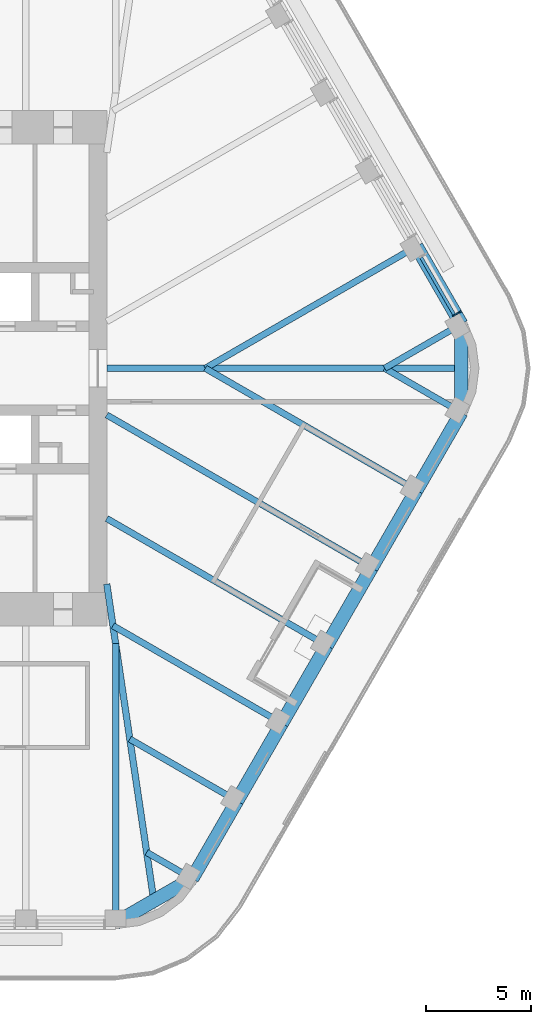
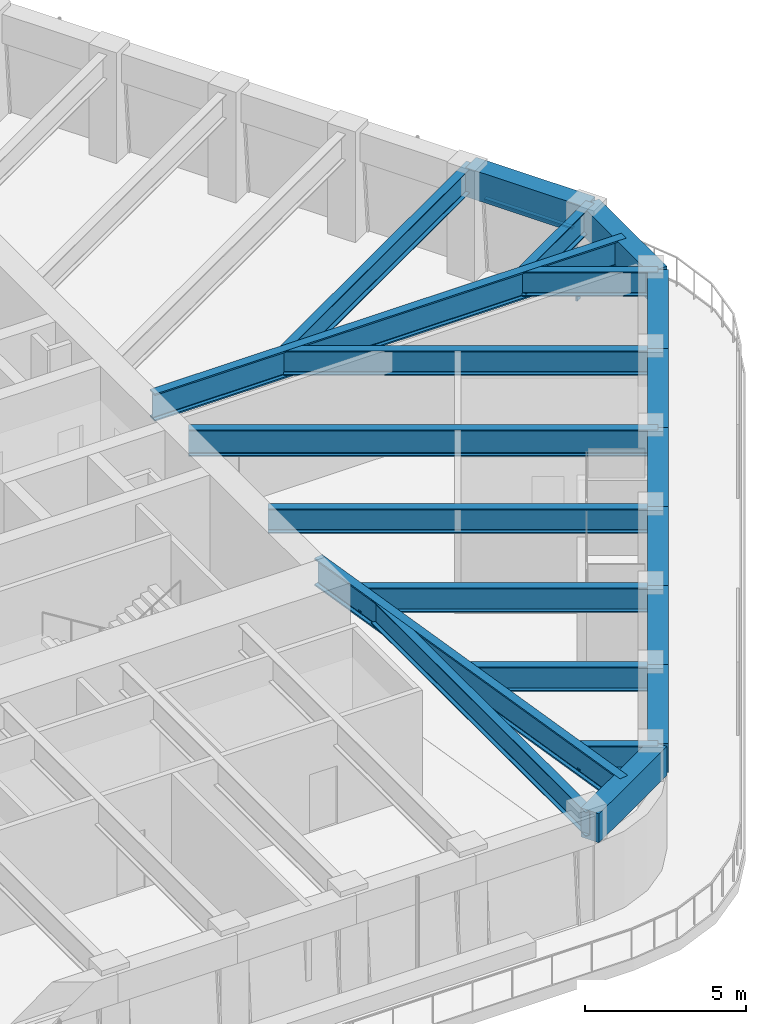
# One storey, part 5 of 19: 21 beams, 2 members, 1 element without a shape of its own.
"""IFC4 building model written with IfcOpenShell, lengths in metres."""

from ifc_helpers import new_model, si_unit, direction, frame, origin, origin_2d, place, context, subcontext, project, spatial, rectangle, i_section, extrude, material, material_profile, profile_set, type_object, element, aggregate, save


model = new_model("IFC4")

# Units and contexts
model_context = context("Model", 3, precision=1e-05, world=origin(), true_north=direction((0.0, 1.0)))
body_context = subcontext(model_context, "Body", "Model", "MODEL_VIEW")
ifc_project = project(units=[si_unit("LENGTHUNIT", "METRE"), si_unit("AREAUNIT", "SQUARE_METRE"), si_unit("VOLUMEUNIT", "CUBIC_METRE"), si_unit("PLANEANGLEUNIT", "RADIAN"), si_unit("MASSUNIT", "GRAM", prefix="KILO")], contexts=[model_context])

# Site, building, storey
site_placement = place(None, origin())
site = spatial("IfcSite", under=ifc_project, at=site_placement, CompositionType="ELEMENT")
building_placement = place(site_placement, origin())
building = spatial("IfcBuilding", under=site, at=building_placement, Name="Tarfa Lantern Tower", CompositionType="ELEMENT")
storey_placement = place(building_placement, frame((0.0, 0.0, 336.699951171875)))
storey = spatial("IfcBuildingStorey", under=building, at=storey_placement, Name="L76", CompositionType="ELEMENT", Elevation=336.699951171875)

# Curtain wall, members
ifc_material_1 = material(Name="Aluminium framed curtain wall", Category="aluminium")
curtain_wall_type = type_object("IfcCurtainWallType", Name="CW4 CANTED GLAZING EXECUTIVE ZONE 2900", PredefinedType="USERDEFINED", material=ifc_material_1)
curtain_wall_placement = place(storey_placement, origin())
curtain_wall = element("IfcCurtainWall", 1, at=curtain_wall_placement, inside=storey, type_object=curtain_wall_type, Name="CW4 NE L76", ObjectType="CURTAIN WALL", PredefinedType="USERDEFINED")
ifc_material_2 = material(Name="Aluminium mullion", Category="aluminium")
ifc_material_profile_1 = material_profile(ifc_material_2, rectangle(XDim=0.06494140625, YDim=0.199951171875, at=origin_2d()), Name="AL MULLION 65x200")
ifc_profile_set_1 = profile_set([ifc_material_profile_1], Name="Aluminium mullion")
member_type_1 = type_object("IfcMemberType", Name="CWM1 MULLION 65x200", PredefinedType="MULLION", material=ifc_profile_set_1)
member_1_placement = place(storey_placement, frame((29.236328125, 2.6611328125, 0.0), z_axis=(-0.074393603155, -0.042941967097, 0.996303959277), x_axis=(0.499919672301, -0.866071776036, 0.0)))
member_1 = element("IfcMember", 2, at=member_1_placement, type_object=member_type_1, Name="CW4 mullion 1", PredefinedType="MULLION", context=body_context, shape_type="SweptSolid", body=[
    extrude(rectangle(XDim=0.06494140625, YDim=0.199951171875, at=origin_2d()), origin(), (0.0, 0.0, 1.0), 2.910888671875),
])
ifc_material_3 = material(Name="Aluminium transom", Category="aluminium")
ifc_material_profile_2 = material_profile(ifc_material_3, rectangle(XDim=0.14990234375, YDim=0.06494140625, at=origin_2d()), Name="AL TRANSOM 150x65")
ifc_profile_set_2 = profile_set([ifc_material_profile_2], Name="Aluminium transom")
member_type_2 = type_object("IfcMemberType", Name="CWT1 TRANSOM 150x65", PredefinedType="USERDEFINED", material=ifc_profile_set_2)
member_2_placement = place(storey_placement, frame((29.006103515625, 2.565673828125, 2.867431640625), z_axis=(-0.500037562771, 0.866003715822, 0.0), x_axis=(-0.866003715822, -0.500037562771, 0.0)))
member_2 = element("IfcMember", 3, at=member_2_placement, type_object=member_type_2, Name="CW4 transom 1.2", ObjectType="TRANSOM", PredefinedType="USERDEFINED", context=body_context, shape_type="SweptSolid", body=[
    extrude(rectangle(XDim=0.14990234375, YDim=0.06494140625, at=origin_2d()), origin(), (0.0, 0.0, 1.0), 3.152099609375),
])
aggregate(curtain_wall, [member_1, member_2])

# Beams
ifc_material_4 = material(Name="Concrete C80/95", Category="concrete")
ifc_material_profile_3 = material_profile(ifc_material_4, rectangle(XDim=0.64990234375, YDim=1.10009765625, at=origin_2d()), Name="RC 650x1100")
ifc_profile_set_3 = profile_set([ifc_material_profile_3], Name="Concrete C80/95")
beam_type_1 = type_object("IfcBeamType", Name="EB4 RC 650x1100", PredefinedType="SPANDREL", material=ifc_profile_set_3)
beam_1_placement = place(storey_placement, frame((29.3466796875, 2.110107421875, 3.449951171875), z_axis=(-0.499984039138, 0.866034618596, 0.0), x_axis=(-0.866034618596, -0.499984039138, 0.0)))
element("IfcBeam", 4, at=beam_1_placement, inside=storey, type_object=beam_type_1, Name="Edge beam NE0", PredefinedType="SPANDREL", context=body_context, shape_type="SweptSolid", body=[
    extrude(rectangle(XDim=0.64990234375, YDim=1.10009765625, at=origin_2d()), origin(), (0.0, 0.0, 1.0), 4.281982421875),
])
beam_2_placement = place(storey_placement, frame((12.845947265625, -26.469970703125, 3.449951171875), z_axis=(0.866048788483, 0.499959494327, 0.0), x_axis=(-0.499959494327, 0.866048788483, 0.0)))
element("IfcBeam", 5, at=beam_2_placement, inside=storey, type_object=beam_type_1, Name="Edge beam S6", PredefinedType="SPANDREL", context=body_context, shape_type="SweptSolid", body=[
    extrude(rectangle(XDim=0.64990234375, YDim=1.10009765625, at=origin_2d()), origin(), (0.0, 0.0, 1.0), 4.219970703125),
])
for number, where, z_axis, x_axis, name in (
    (6, (16.500732421875, -24.360107421875, 3.449951171875), (0.499959351497, 0.866048870937, 0.0), (-0.866048870937, 0.499959351497, 0.0), "Edge beam SE0"),
    (7, (18.6416015625, -20.651611328125, 3.449951171875), (0.500026801138, 0.866009929587, 0.0), (-0.866009929587, 0.500026801138, 0.0), "Edge beam SE1"),
    (8, (20.78271484375, -16.943359375, 3.449951171875), (0.499984039138, 0.866034618596, 0.0), (-0.866034618596, 0.499984039138, 0.0), "Edge beam SE2"),
):
    element("IfcBeam", number, at=place(storey_placement, frame(where, z_axis=z_axis, x_axis=x_axis)), inside=storey, type_object=beam_type_1, Name=name, PredefinedType="SPANDREL", context=body_context, shape_type="SweptSolid", body=[
        extrude(rectangle(XDim=0.64990234375, YDim=1.10009765625, at=origin_2d()), origin(), (0.0, 0.0, 1.0), 4.281982421875),
    ])
beam_3_placement = place(storey_placement, frame((22.923583984375, -13.235107421875, 3.449951171875), z_axis=(0.500002112793, 0.866024183959, 0.0), x_axis=(-0.866024183959, 0.500002112793, 0.0)))
element("IfcBeam", 9, at=beam_3_placement, inside=storey, type_object=beam_type_1, Name="Edge beam SE3", PredefinedType="SPANDREL", context=body_context, shape_type="SweptSolid", body=[
    extrude(rectangle(XDim=0.64990234375, YDim=1.10009765625, at=origin_2d()), origin(), (0.0, 0.0, 1.0), 4.2822265625),
])
for number, where, z_axis, x_axis, name in (
    (10, (25.064697265625, -9.526611328125, 3.449951171875), (0.500026801138, 0.866009929587, 0.0), (-0.866009929587, 0.500026801138, 0.0), "Edge beam SE4"),
    (11, (27.205810546875, -5.818359375, 3.449951171875), (0.499984039138, 0.866034618596, 0.0), (-0.866034618596, 0.499984039138, 0.0), "Edge beam SE5"),
):
    element("IfcBeam", number, at=place(storey_placement, frame(where, z_axis=z_axis, x_axis=x_axis)), inside=storey, type_object=beam_type_1, Name=name, PredefinedType="SPANDREL", context=body_context, shape_type="SweptSolid", body=[
        extrude(rectangle(XDim=0.64990234375, YDim=1.10009765625, at=origin_2d()), origin(), (0.0, 0.0, 1.0), 4.281982421875),
    ])
beam_4_placement = place(storey_placement, frame((29.3466796875, -2.110107421875, 3.449951171875), z_axis=(0.0, 1.0, 0.0), x_axis=(-1.0, 0.0, 0.0)))
element("IfcBeam", 12, at=beam_4_placement, inside=storey, type_object=beam_type_1, Name="Edge beam SE6", PredefinedType="SPANDREL", context=body_context, shape_type="SweptSolid", body=[
    extrude(rectangle(XDim=0.64990234375, YDim=1.10009765625, at=origin_2d()), origin(), (0.0, 0.0, 1.0), 4.22021484375),
])
ifc_material_5 = material(Name="Steel S460M", Category="steel")
ifc_material_profile_4 = material_profile(ifc_material_5, i_section(OverallWidth=0.302001953125, OverallDepth=1.008056640625, WebThickness=0.02099609375, FlangeThickness=0.0400390625, FilletRadius=0.030029296875, at=origin_2d()), Name="UB1016x305x349")
ifc_profile_set_4 = profile_set([ifc_material_profile_4], Name="Steel S460M")
beam_type_2 = type_object("IfcBeamType", Name="UB1016x305x349", PredefinedType="BEAM", material=ifc_profile_set_4)
beam_5_placement = place(storey_placement, frame((25.064697265625, -9.526611328125, 3.49609375), z_axis=(-0.866029591389, 0.499992746786, 0.0), x_axis=(-0.499992746786, -0.866029591389, 0.0)))
element("IfcBeam", 13, at=beam_5_placement, inside=storey, type_object=beam_type_2, Name="Floor beam SE4", PredefinedType="BEAM", context=body_context, shape_type="SweptSolid", body=[
    extrude(i_section(OverallWidth=0.302001953125, OverallDepth=1.008056640625, WebThickness=0.02099609375, FlangeThickness=0.0400390625, FilletRadius=0.030029296875, at=origin_2d()), origin(), (0.0, 0.0, 1.0), 14.594970703125),
])
ifc_material_profile_5 = material_profile(ifc_material_5, i_section(OverallWidth=0.30859375, OverallDepth=1.036376953125, WebThickness=0.030029296875, FlangeThickness=0.05419921875, FilletRadius=0.030029296875, at=origin_2d()), Name="UB1016x305x487")
ifc_profile_set_5 = profile_set([ifc_material_profile_5], Name="Steel S460M")
beam_type_3 = type_object("IfcBeamType", Name="UB1016x305x487", PredefinedType="BEAM", material=ifc_profile_set_5)
beam_6_placement = place(storey_placement, frame((12.425048828125, 0.0, 3.48193359375), z_axis=(1.0, 0.0, 0.0), x_axis=(0.0, 1.0, 0.0)))
element("IfcBeam", 14, at=beam_6_placement, inside=storey, type_object=beam_type_3, Name="Hip girder E", PredefinedType="BEAM", context=body_context, shape_type="SweptSolid", body=[
    extrude(i_section(OverallWidth=0.30859375, OverallDepth=1.036376953125, WebThickness=0.030029296875, FlangeThickness=0.05419921875, FilletRadius=0.030029296875, at=origin_2d()), origin(), (0.0, 0.0, 1.0), 16.921630859375),
])
beam_7_placement = place(storey_placement, frame((12.425048828125, -10.300048828125, 3.48193359375), z_axis=(0.147127069073, -0.989117599452, 0.0), x_axis=(0.989117599452, 0.147127069073, 0.0)))
element("IfcBeam", 15, at=beam_7_placement, inside=storey, type_object=beam_type_3, Name="Hip girder SE", PredefinedType="BEAM", context=body_context, shape_type="SweptSolid", body=[
    extrude(i_section(OverallWidth=0.30859375, OverallDepth=1.036376953125, WebThickness=0.030029296875, FlangeThickness=0.05419921875, FilletRadius=0.030029296875, at=origin_2d()), origin(), (0.0, 0.0, 1.0), 15.28125),
])
ifc_material_profile_6 = material_profile(ifc_material_5, i_section(OverallWidth=0.305419921875, OverallDepth=0.91845703125, WebThickness=0.017333984375, FlangeThickness=0.02783203125, FilletRadius=0.01904296875, at=origin_2d()), Name="UB914x305x253")
ifc_profile_set_6 = profile_set([ifc_material_profile_6], Name="Steel S460M")
beam_type_4 = type_object("IfcBeamType", Name="UB914x305x253", PredefinedType="BEAM", material=ifc_profile_set_6)
beam_8_placement = place(storey_placement, frame((29.3466796875, 2.110107421875, 3.540771484375), z_axis=(-0.866009274789, -0.500027935199, 0.0), x_axis=(0.500027935199, -0.866009274789, 0.0)))
element("IfcBeam", 16, at=beam_8_placement, inside=storey, type_object=beam_type_4, Name="Floor beam NE0", PredefinedType="BEAM", context=body_context, shape_type="SweptSolid", body=[
    extrude(i_section(OverallWidth=0.305419921875, OverallDepth=0.91845703125, WebThickness=0.017333984375, FlangeThickness=0.02783203125, FilletRadius=0.01904296875, at=origin_2d()), origin(), (0.0, 0.0, 1.0), 4.219970703125),
])
beam_9_placement = place(storey_placement, frame((27.205810546875, 5.818359375, 3.540771484375), z_axis=(-0.866024171998, -0.500002133511, 0.0), x_axis=(0.500002133511, -0.866024171998, 0.0)))
element("IfcBeam", 17, at=beam_9_placement, inside=storey, type_object=beam_type_4, Name="Floor beam NE1", PredefinedType="BEAM", context=body_context, shape_type="SweptSolid", body=[
    extrude(i_section(OverallWidth=0.305419921875, OverallDepth=0.91845703125, WebThickness=0.017333984375, FlangeThickness=0.02783203125, FilletRadius=0.01904296875, at=origin_2d()), origin(), (0.0, 0.0, 1.0), 11.63671875),
])
beam_10_placement = place(storey_placement, frame((12.845947265625, -26.469970703125, 3.540771484375), z_axis=(0.0, 1.0, 0.0), x_axis=(-1.0, 0.0, 0.0)))
element("IfcBeam", 18, at=beam_10_placement, inside=storey, type_object=beam_type_4, Name="Floor beam S6", PredefinedType="BEAM", context=body_context, shape_type="SweptSolid", body=[
    extrude(i_section(OverallWidth=0.305419921875, OverallDepth=0.91845703125, WebThickness=0.017333984375, FlangeThickness=0.02783203125, FilletRadius=0.01904296875, at=origin_2d()), origin(), (0.0, 0.0, 1.0), 13.33935546875),
])
beam_11_placement = place(storey_placement, frame((16.500732421875, -24.360107421875, 3.540771484375), z_axis=(-0.865992557167, 0.500056887695, 0.0), x_axis=(-0.500056887695, -0.865992557167, 0.0)))
element("IfcBeam", 19, at=beam_11_placement, inside=storey, type_object=beam_type_4, Name="Floor beam SE0", PredefinedType="BEAM", context=body_context, shape_type="SweptSolid", body=[
    extrude(i_section(OverallWidth=0.305419921875, OverallDepth=0.91845703125, WebThickness=0.017333984375, FlangeThickness=0.02783203125, FilletRadius=0.01904296875, at=origin_2d()), origin(), (0.0, 0.0, 1.0), 2.506591796875),
])
beam_12_placement = place(storey_placement, frame((18.6416015625, -20.651611328125, 3.540771484375), z_axis=(-0.866024549157, 0.500001480256, 0.0), x_axis=(-0.500001480256, -0.866024549157, 0.0)))
element("IfcBeam", 20, at=beam_12_placement, inside=storey, type_object=beam_type_4, Name="Floor beam SE1", PredefinedType="BEAM", context=body_context, shape_type="SweptSolid", body=[
    extrude(i_section(OverallWidth=0.305419921875, OverallDepth=0.91845703125, WebThickness=0.017333984375, FlangeThickness=0.02783203125, FilletRadius=0.01904296875, at=origin_2d()), origin(), (0.0, 0.0, 1.0), 5.90771484375),
])
beam_13_placement = place(storey_placement, frame((20.78271484375, -16.943359375, 3.540771484375), z_axis=(-0.866021806508, 0.500006230613, 0.0), x_axis=(-0.500006230613, -0.866021806508, 0.0)))
element("IfcBeam", 21, at=beam_13_placement, inside=storey, type_object=beam_type_4, Name="Floor beam SE2", PredefinedType="BEAM", context=body_context, shape_type="SweptSolid", body=[
    extrude(i_section(OverallWidth=0.305419921875, OverallDepth=0.91845703125, WebThickness=0.017333984375, FlangeThickness=0.02783203125, FilletRadius=0.01904296875, at=origin_2d()), origin(), (0.0, 0.0, 1.0), 9.30908203125),
])
beam_14_placement = place(storey_placement, frame((22.923583984375, -13.235107421875, 3.540771484375), z_axis=(-0.86601856927, 0.500011837539, 0.0), x_axis=(-0.500011837539, -0.86601856927, 0.0)))
element("IfcBeam", 22, at=beam_14_placement, inside=storey, type_object=beam_type_4, Name="Floor beam SE3", PredefinedType="BEAM", context=body_context, shape_type="SweptSolid", body=[
    extrude(i_section(OverallWidth=0.305419921875, OverallDepth=0.91845703125, WebThickness=0.017333984375, FlangeThickness=0.02783203125, FilletRadius=0.01904296875, at=origin_2d()), origin(), (0.0, 0.0, 1.0), 12.122802734375),
])
beam_15_placement = place(storey_placement, frame((27.205810546875, -5.818359375, 3.540771484375), z_axis=(-0.866024171998, 0.500002133511, 0.0), x_axis=(-0.500002133511, -0.866024171998, 0.0)))
element("IfcBeam", 23, at=beam_15_placement, inside=storey, type_object=beam_type_4, Name="Floor beam SE5", PredefinedType="BEAM", context=body_context, shape_type="SweptSolid", body=[
    extrude(i_section(OverallWidth=0.305419921875, OverallDepth=0.91845703125, WebThickness=0.017333984375, FlangeThickness=0.02783203125, FilletRadius=0.01904296875, at=origin_2d()), origin(), (0.0, 0.0, 1.0), 11.63671875),
])
beam_16_placement = place(storey_placement, frame((29.3466796875, -2.110107421875, 3.540771484375), z_axis=(-0.866009274789, 0.500027935199, 0.0), x_axis=(-0.500027935199, -0.866009274789, 0.0)))
element("IfcBeam", 24, at=beam_16_placement, inside=storey, type_object=beam_type_4, Name="Floor beam SE6", PredefinedType="BEAM", context=body_context, shape_type="SweptSolid", body=[
    extrude(i_section(OverallWidth=0.305419921875, OverallDepth=0.91845703125, WebThickness=0.017333984375, FlangeThickness=0.02783203125, FilletRadius=0.01904296875, at=origin_2d()), origin(), (0.0, 0.0, 1.0), 4.219970703125),
])

save(model, "model.ifc")
